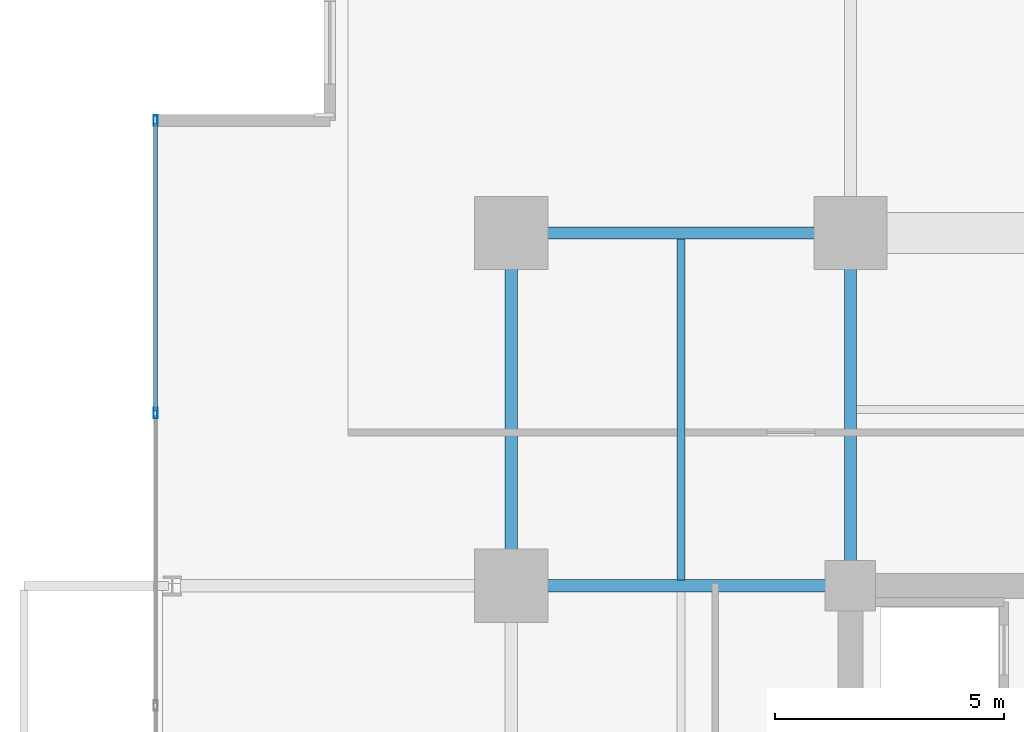
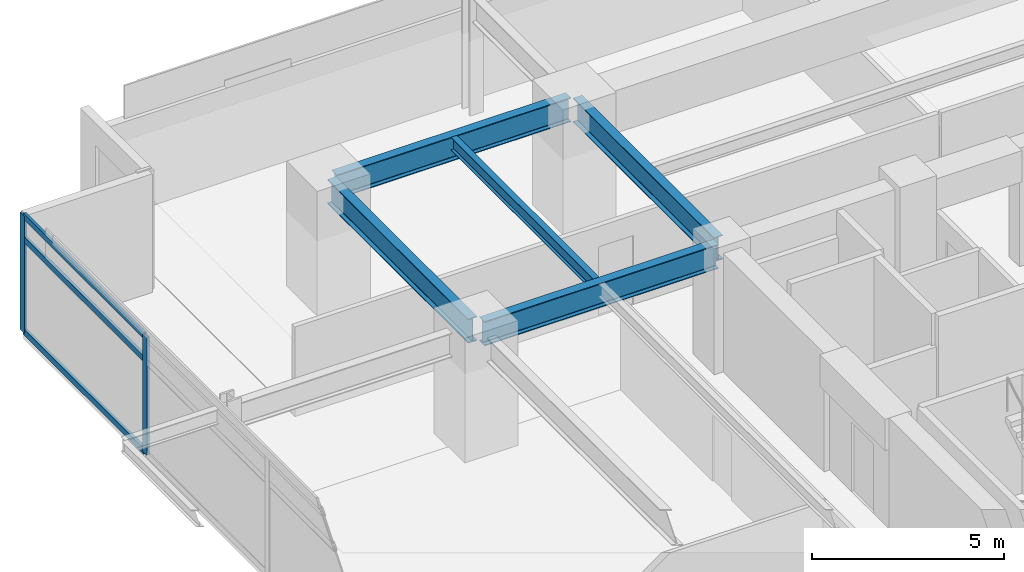
# One storey, part 12 of 24: 5 beams, 5 members, 1 element without a shape of its own.
"""IFC4 building model written with IfcOpenShell, lengths in metres."""

from ifc_helpers import new_model, si_unit, direction, frame, origin, origin_2d, place, context, subcontext, project, spatial, hollow_rectangle, i_section, extrude, material, material_profile, profile_set, type_object, element, aggregate, save


model = new_model("IFC4")

# Units and contexts
model_context = context("Model", 3, precision=1e-05, world=origin(), true_north=direction((0.0, 1.0)))
body_context = subcontext(model_context, "Body", "Model", "MODEL_VIEW")
ifc_project = project(units=[si_unit("LENGTHUNIT", "METRE"), si_unit("AREAUNIT", "SQUARE_METRE"), si_unit("VOLUMEUNIT", "CUBIC_METRE"), si_unit("PLANEANGLEUNIT", "RADIAN"), si_unit("MASSUNIT", "GRAM", prefix="KILO")], contexts=[model_context])

# Site, building, storey
site_placement = place(None, origin())
site = spatial("IfcSite", under=ifc_project, at=site_placement, CompositionType="ELEMENT")
building_placement = place(site_placement, origin())
building = spatial("IfcBuilding", under=site, at=building_placement, Name="Kovane Verandah Tower", CompositionType="ELEMENT")
storey_placement = place(building_placement, frame((0.0, 0.0, 132.39990234375)))
storey = spatial("IfcBuildingStorey", under=building, at=storey_placement, Name="L30", CompositionType="ELEMENT", Elevation=132.39990234375)

# Beams
ifc_material_1 = material(Name="Steel S355", Category="steel")
ifc_material_profile_1 = material_profile(ifc_material_1, i_section(OverallWidth=0.26806640625, OverallDepth=0.769775390625, WebThickness=0.015625, FlangeThickness=0.025390625, FilletRadius=0.0166015625, at=origin_2d()), Name="UB762x267x197")
ifc_profile_set_1 = profile_set([ifc_material_profile_1], Name="Steel S355")
beam_type_1 = type_object("IfcBeamType", Name="BM-UB762x197", PredefinedType="BEAM", material=ifc_profile_set_1)
beam_1_placement = place(storey_placement, frame((21.780029296875, 44.199951171875, 3.39013671875), z_axis=(1.0, 0.0, 0.0), x_axis=(0.0, 1.0, 0.0)))
element("IfcBeam", 1, at=beam_1_placement, inside=storey, type_object=beam_type_1, Name="L30 Primary Tower Girder G-RN1", PredefinedType="BEAM", context=body_context, shape_type="SweptSolid", body=[
    extrude(i_section(OverallWidth=0.26806640625, OverallDepth=0.769775390625, WebThickness=0.015625, FlangeThickness=0.025390625, FilletRadius=0.0166015625, at=origin_2d()), origin(), (0.0, 0.0, 1.0), 7.0400390625),
])
beam_2_placement = place(storey_placement, frame((21.60009765625, 36.679931640625, 3.39013671875), z_axis=(0.0, 1.0, 0.0), x_axis=(-1.0, 0.0, 0.0)))
element("IfcBeam", 2, at=beam_2_placement, inside=storey, type_object=beam_type_1, Name="L30 Primary Tower Girder G-RW3", PredefinedType="BEAM", context=body_context, shape_type="SweptSolid", body=[
    extrude(i_section(OverallWidth=0.26806640625, OverallDepth=0.769775390625, WebThickness=0.015625, FlangeThickness=0.025390625, FilletRadius=0.0166015625, at=origin_2d()), origin(), (0.0, 0.0, 1.0), 7.340087890625),
])
beam_3_placement = place(storey_placement, frame((28.820068359375, 36.5, 3.39013671875), z_axis=(-1.0, 0.0, 0.0), x_axis=(0.0, -1.0, 0.0)))
element("IfcBeam", 3, at=beam_3_placement, inside=storey, type_object=beam_type_1, Name="L30 Primary Tower Girder G-W2", PredefinedType="BEAM", context=body_context, shape_type="SweptSolid", body=[
    extrude(i_section(OverallWidth=0.26806640625, OverallDepth=0.769775390625, WebThickness=0.015625, FlangeThickness=0.025390625, FilletRadius=0.0166015625, at=origin_2d()), origin(), (0.0, 0.0, 1.0), 7.0400390625),
])
beam_4_placement = place(storey_placement, frame((29.0, 36.679931640625, 3.39013671875), z_axis=(0.0, 1.0, 0.0), x_axis=(-1.0, 0.0, 0.0)))
element("IfcBeam", 4, at=beam_4_placement, inside=storey, type_object=beam_type_1, Name="L30 Primary Tower Girder G-N1", PredefinedType="BEAM", context=body_context, shape_type="SweptSolid", body=[
    extrude(i_section(OverallWidth=0.26806640625, OverallDepth=0.769775390625, WebThickness=0.015625, FlangeThickness=0.025390625, FilletRadius=0.0166015625, at=origin_2d()), origin(), (0.0, 0.0, 1.0), 7.340087890625),
])

# Curtain wall, members
ifc_material_2 = material(Name="Champagne Anodised Aluminium Frame with Low-E Clear Laminated Glass", Category="aluminium")
curtain_wall_type = type_object("IfcCurtainWallType", Name="CW-SYS-03-MID", PredefinedType="NOTDEFINED", material=ifc_material_2)
curtain_wall_placement = place(storey_placement, origin())
curtain_wall = element("IfcCurtainWall", 5, at=curtain_wall_placement, inside=storey, type_object=curtain_wall_type, Name="L30 W Unitised Curtain Wall", PredefinedType="NOTDEFINED")
ifc_material_3 = material(Name="Champagne Anodised Aluminium 6063-T6", Category="aluminium")
ifc_material_profile_2 = material_profile(ifc_material_3, hollow_rectangle(XDim=0.0849609375, YDim=0.22998046875, WallThickness=0.00390625, at=origin_2d()), Name="AL85x230x4")
ifc_profile_set_2 = profile_set([ifc_material_profile_2], Name="Champagne Anodised Aluminium 6063-T6")
member_type_1 = type_object("IfcMemberType", Name="CW-MUL-85x230", PredefinedType="MULLION", material=ifc_profile_set_2)
member_1_placement = place(storey_placement, frame((13.837646484375, 46.65380859375, 0.02001953125), z_axis=(0.0, 0.0, 1.0), x_axis=(-1.0, 0.0, 0.0)))
member_1 = element("IfcMember", 6, at=member_1_placement, type_object=member_type_1, Name="L30 W Unitised Curtain Wall Mullion 1", PredefinedType="MULLION", context=body_context, shape_type="SweptSolid", body=[
    extrude(hollow_rectangle(XDim=0.0849609375, YDim=0.22998046875, WallThickness=0.00390625, at=origin_2d()), origin(), (0.0, 0.0, 1.0), 3.735107421875),
])
member_2_placement = place(storey_placement, frame((13.837646484375, 40.26904296875, 0.02001953125), z_axis=(0.0, 0.0, 1.0), x_axis=(-1.0, 0.0, 0.0)))
member_2 = element("IfcMember", 7, at=member_2_placement, type_object=member_type_1, Name="L30 W Unitised Curtain Wall Mullion 2", PredefinedType="MULLION", context=body_context, shape_type="SweptSolid", body=[
    extrude(hollow_rectangle(XDim=0.0849609375, YDim=0.22998046875, WallThickness=0.00390625, at=origin_2d()), origin(), (0.0, 0.0, 1.0), 3.735107421875),
])
ifc_material_profile_3 = material_profile(ifc_material_3, hollow_rectangle(XDim=0.0849609375, YDim=0.18994140625, WallThickness=0.00390625, at=origin_2d()), Name="AL85x190x4")
ifc_profile_set_3 = profile_set([ifc_material_profile_3], Name="Champagne Anodised Aluminium 6063-T6")
member_type_2 = type_object("IfcMemberType", Name="CW-TRN-85x190", PredefinedType="USERDEFINED", material=ifc_profile_set_3)
member_3_placement = place(storey_placement, frame((13.837646484375, 46.603759765625, 0.050048828125), z_axis=(0.0, -1.0, 0.0), x_axis=(1.0, 0.0, 0.0)))
member_3 = element("IfcMember", 8, at=member_3_placement, type_object=member_type_2, Name="L30 W Unitised Curtain Wall Transom TB Bay 1", ObjectType="TRANSOM", PredefinedType="USERDEFINED", context=body_context, shape_type="SweptSolid", body=[
    extrude(hollow_rectangle(XDim=0.0849609375, YDim=0.18994140625, WallThickness=0.00390625, at=origin_2d()), origin(), (0.0, 0.0, 1.0), 6.28466796875),
])
member_4_placement = place(storey_placement, frame((13.837646484375, 46.603759765625, 2.9951171875), z_axis=(0.0, -1.0, 0.0), x_axis=(1.0, 0.0, 0.0)))
member_4 = element("IfcMember", 9, at=member_4_placement, type_object=member_type_2, Name="L30 W Unitised Curtain Wall Transom TM Bay 1", ObjectType="TRANSOM", PredefinedType="USERDEFINED", context=body_context, shape_type="SweptSolid", body=[
    extrude(hollow_rectangle(XDim=0.0849609375, YDim=0.18994140625, WallThickness=0.00390625, at=origin_2d()), origin(), (0.0, 0.0, 1.0), 6.28466796875),
])
member_5_placement = place(storey_placement, frame((13.837646484375, 46.603759765625, 3.72509765625), z_axis=(0.0, -1.0, 0.0), x_axis=(1.0, 0.0, 0.0)))
member_5 = element("IfcMember", 10, at=member_5_placement, type_object=member_type_2, Name="L30 W Unitised Curtain Wall Transom TT Bay 1", ObjectType="TRANSOM", PredefinedType="USERDEFINED", context=body_context, shape_type="SweptSolid", body=[
    extrude(hollow_rectangle(XDim=0.0849609375, YDim=0.18994140625, WallThickness=0.00390625, at=origin_2d()), origin(), (0.0, 0.0, 1.0), 6.28466796875),
])
aggregate(curtain_wall, [member_1, member_2, member_3, member_4, member_5])

# Beam
ifc_material_profile_4 = material_profile(ifc_material_1, i_section(OverallWidth=0.179443359375, OverallDepth=0.412841796875, WebThickness=0.009521484375, FlangeThickness=0.01611328125, FilletRadius=0.01025390625, at=origin_2d()), Name="UB406x178x74")
ifc_profile_set_4 = profile_set([ifc_material_profile_4], Name="Steel S355")
beam_type_2 = type_object("IfcBeamType", Name="JST-UB406x74", PredefinedType="JOIST", material=ifc_profile_set_4)
beam_5_placement = place(storey_placement, frame((25.300048828125, 36.632080078125, 3.568603515625), z_axis=(0.0, 1.0, 0.0), x_axis=(-1.0, 0.0, 0.0)))
element("IfcBeam", 11, at=beam_5_placement, inside=storey, type_object=beam_type_2, Name="L30 Secondary Composite Joist J-NW1", PredefinedType="JOIST", context=body_context, shape_type="SweptSolid", body=[
    extrude(i_section(OverallWidth=0.179443359375, OverallDepth=0.412841796875, WebThickness=0.009521484375, FlangeThickness=0.01611328125, FilletRadius=0.01025390625, at=origin_2d()), origin(), (0.0, 0.0, 1.0), 7.43603515625),
])

save(model, "model.ifc")
